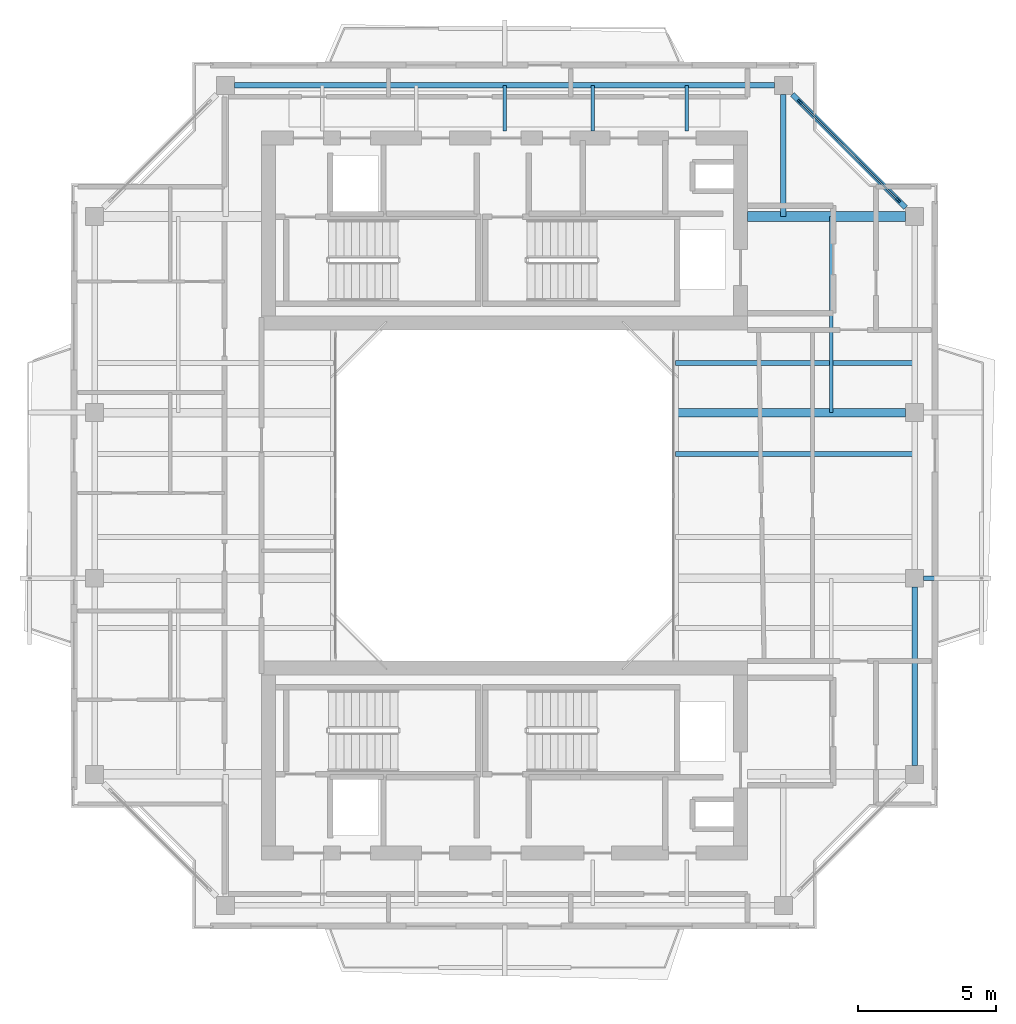
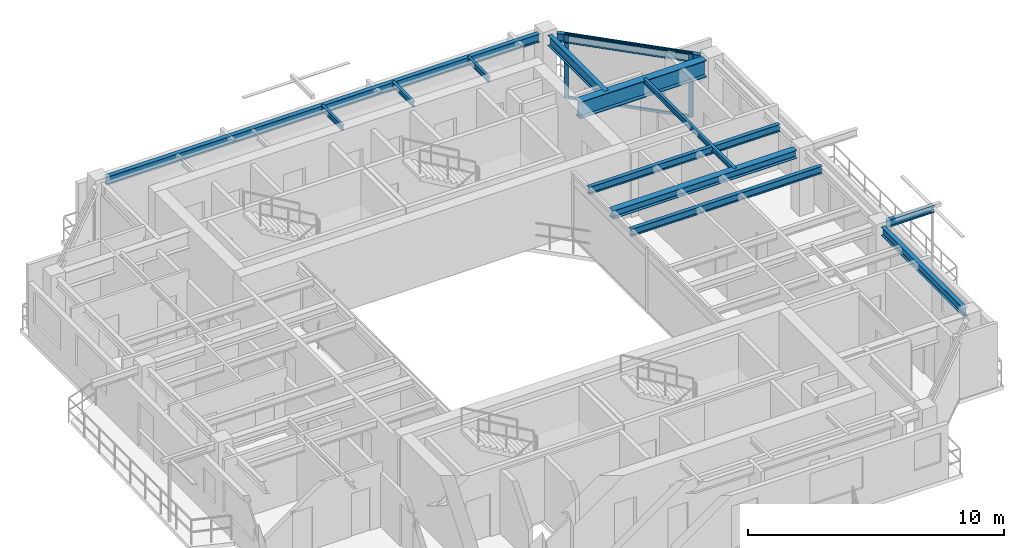
# One storey, part 6 of 15: 13 beams, 4 members, 1 element without a shape of its own.
"""IFC4 building model written with IfcOpenShell, lengths in metres."""

from ifc_helpers import new_model, si_unit, direction, frame, origin, origin_2d, place, context, subcontext, project, spatial, rectangle, i_section, extrude, source, transform, mapped, material, layer, layer_set, material_profile, profile_set, type_object, element, aggregate, save


model = new_model("IFC4")

# Units and contexts
model_context = context("Model", 3, precision=1e-05, world=origin(), true_north=direction((0.0, 1.0)))
body_context = subcontext(model_context, "Body", "Model", "MODEL_VIEW")
ifc_project = project(units=[si_unit("LENGTHUNIT", "METRE"), si_unit("AREAUNIT", "SQUARE_METRE"), si_unit("VOLUMEUNIT", "CUBIC_METRE"), si_unit("PLANEANGLEUNIT", "RADIAN"), si_unit("MASSUNIT", "GRAM", prefix="KILO"), si_unit("THERMODYNAMICTEMPERATUREUNIT", "KELVIN"), si_unit("POWERUNIT", "WATT")], contexts=[model_context])

# Site, building, storey
site_placement = place(None, origin())
site = spatial("IfcSite", under=ifc_project, at=site_placement, CompositionType="ELEMENT")
building_placement = place(site_placement, origin())
building = spatial("IfcBuilding", under=site, at=building_placement, Name="Qiaomeng Ring Towers", CompositionType="ELEMENT")
storey_placement = place(building_placement, frame((0.0, 0.0, 256.75)))
storey = spatial("IfcBuildingStorey", under=building, at=storey_placement, Name="L75", CompositionType="ELEMENT", Elevation=256.75)

# Beams
ifc_material_1 = material(Name="Steel Q355B", Category="steel")
ifc_material_profile_1 = material_profile(ifc_material_1, i_section(OverallWidth=0.198974609375, OverallDepth=0.39599609375, WebThickness=0.007080078125, FlangeThickness=0.010986328125, FilletRadius=0.01611328125, at=origin_2d()), Name="HN 396x199x7x11")
ifc_profile_set_1 = profile_set([ifc_material_profile_1], Name="Steel Q355B")
beam_type_1 = type_object("IfcBeamType", Name="STR-BM-HN396", PredefinedType="SPANDREL", material=ifc_profile_set_1)
shared_shape_1 = source(origin(), body_context, "Body", "SweptSolid", [
    extrude(i_section(OverallWidth=0.198974609375, OverallDepth=0.39599609375, WebThickness=0.007080078125, FlangeThickness=0.010986328125, FilletRadius=0.01611328125, at=origin_2d()), origin(), (0.0, 0.0, 1.0), 19.5517578125),
])
beam_1_placement = place(storey_placement, frame((28.77587890625, 37.85009765625, 2.8720703125), z_axis=(-1.0, 0.0, 0.0), x_axis=(0.0, -1.0, 0.0)))
element("IfcBeam", 1, at=beam_1_placement, inside=storey, type_object=beam_type_1, Name="L75 beam STR-SP-L75-T1-N2-N1", PredefinedType="SPANDREL", context=body_context, shape_type="MappedRepresentation", body=[
    mapped(shared_shape_1, transform((0.0, 0.0, 0.0), x_axis=(1.0, 0.0, 0.0), y_axis=(0.0, 1.0, 0.0), z_axis=(0.0, 0.0, 1.0), scale=1.0)),
])
shared_shape_2 = source(origin(), body_context, "Body", "SweptSolid", [
    extrude(i_section(OverallWidth=0.198974609375, OverallDepth=0.39599609375, WebThickness=0.007080078125, FlangeThickness=0.010986328125, FilletRadius=0.01611328125, at=origin_2d()), origin(), (0.0, 0.0, 1.0), 5.800048828125),
])
beam_2_placement = place(storey_placement, frame((33.525634765625, 33.42431640625, 2.8720703125), z_axis=(-0.707106781187, 0.707106781187, 0.0), x_axis=(-0.707106781187, -0.707106781187, 0.0)))
element("IfcBeam", 2, at=beam_2_placement, inside=storey, type_object=beam_type_1, Name="L75 beam STR-SP-L75-T1-E4-N2", PredefinedType="SPANDREL", context=body_context, shape_type="MappedRepresentation", body=[
    mapped(shared_shape_2, transform((0.0, 0.0, 0.0), x_axis=(1.0, 0.0, 0.0), y_axis=(0.0, 1.0, 0.0), z_axis=(0.0, 0.0, 1.0), scale=1.0)),
])
shared_shape_3 = source(origin(), body_context, "Body", "SweptSolid", [
    extrude(i_section(OverallWidth=0.198974609375, OverallDepth=0.39599609375, WebThickness=0.007080078125, FlangeThickness=0.010986328125, FilletRadius=0.01611328125, at=origin_2d()), origin(), (0.0, 0.0, 1.0), 6.451904296875),
])
beam_3_placement = place(storey_placement, frame((33.85009765625, 13.22412109375, 2.8720703125), z_axis=(0.0, 1.0, 0.0), x_axis=(-1.0, 0.0, 0.0)))
element("IfcBeam", 3, at=beam_3_placement, inside=storey, type_object=beam_type_1, Name="L75 beam STR-SP-L75-T1-E1-E2", PredefinedType="SPANDREL", context=body_context, shape_type="MappedRepresentation", body=[
    mapped(shared_shape_3, transform((0.0, 0.0, 0.0), x_axis=(1.0, 0.0, 0.0), y_axis=(0.0, 1.0, 0.0), z_axis=(0.0, 0.0, 1.0), scale=1.0)),
])
ifc_material_2 = material(Name="Steel Q390GJC", Category="steel")
ifc_material_profile_2 = material_profile(ifc_material_2, i_section(OverallWidth=0.35009765625, OverallDepth=0.800048828125, WebThickness=0.01611328125, FlangeThickness=0.028076171875, at=origin_2d()), Name="WH 800x350x16x28")
ifc_profile_set_2 = profile_set([ifc_material_profile_2], Name="Steel Q390GJC")
beam_type_2 = type_object("IfcBeamType", Name="STR-BM-WH800", PredefinedType="BEAM", material=ifc_profile_set_2)
shared_shape_4 = source(origin(), body_context, "Body", "SweptSolid", [
    extrude(i_section(OverallWidth=0.35009765625, OverallDepth=0.800048828125, WebThickness=0.01611328125, FlangeThickness=0.028076171875, at=origin_2d()), origin(), (0.0, 0.0, 1.0), 5.725830078125),
])
beam_4_placement = place(storey_placement, frame((27.800048828125, 33.10009765625, 2.669921875), z_axis=(1.0, 0.0, 0.0), x_axis=(0.0, 1.0, 0.0)))
element("IfcBeam", 4, at=beam_4_placement, inside=storey, type_object=beam_type_2, Name="L75 beam STR-BM-L75-T1-RAD-E4", PredefinedType="BEAM", context=body_context, shape_type="MappedRepresentation", body=[
    mapped(shared_shape_4, transform((0.0, 0.0, 0.0), x_axis=(1.0, 0.0, 0.0), y_axis=(0.0, 1.0, 0.0), z_axis=(0.0, 0.0, 1.0), scale=1.0)),
])
ifc_material_profile_3 = material_profile(ifc_material_1, i_section(OverallWidth=0.198974609375, OverallDepth=0.49609375, WebThickness=0.009033203125, FlangeThickness=0.013916015625, FilletRadius=0.01806640625, at=origin_2d()), Name="HN 496x199x9x14")
ifc_profile_set_3 = profile_set([ifc_material_profile_3], Name="Steel Q355B")
beam_type_3 = type_object("IfcBeamType", Name="STR-BM-HN496", PredefinedType="BEAM", material=ifc_profile_set_3)
shared_shape_5 = source(origin(), body_context, "Body", "SweptSolid", [
    extrude(i_section(OverallWidth=0.198974609375, OverallDepth=0.49609375, WebThickness=0.009033203125, FlangeThickness=0.013916015625, FilletRadius=0.01806640625, at=origin_2d()), origin(), (0.0, 0.0, 1.0), 4.42578125),
])
beam_5_placement = place(storey_placement, frame((29.10009765625, 37.52587890625, 2.822021484375), z_axis=(0.0, -1.0, 0.0), x_axis=(1.0, 0.0, 0.0)))
element("IfcBeam", 5, at=beam_5_placement, inside=storey, type_object=beam_type_3, Name="L75 beam STR-BM-L75-T1-RAD-N2", PredefinedType="BEAM", context=body_context, shape_type="MappedRepresentation", body=[
    mapped(shared_shape_5, transform((0.0, 0.0, 0.0), x_axis=(1.0, 0.0, 0.0), y_axis=(0.0, 1.0, 0.0), z_axis=(0.0, 0.0, 1.0), scale=1.0)),
])
ifc_material_profile_4 = material_profile(ifc_material_1, i_section(OverallWidth=0.300048828125, OverallDepth=0.389892578125, WebThickness=0.010009765625, FlangeThickness=0.01611328125, FilletRadius=0.02197265625, at=origin_2d()), Name="HM 390x300x10x16")
ifc_profile_set_4 = profile_set([ifc_material_profile_4], Name="Steel Q355B")
beam_type_4 = type_object("IfcBeamType", Name="STR-BM-HM390", PredefinedType="BEAM", material=ifc_profile_set_4)
shared_shape_6 = source(origin(), body_context, "Body", "SweptSolid", [
    extrude(i_section(OverallWidth=0.300048828125, OverallDepth=0.389892578125, WebThickness=0.010009765625, FlangeThickness=0.01611328125, FilletRadius=0.02197265625, at=origin_2d()), origin(), (0.0, 0.0, 1.0), 8.325927734375),
])
beam_6_placement = place(storey_placement, frame((25.199951171875, 26.0, 2.875), z_axis=(1.0, 0.0, 0.0), x_axis=(0.0, 1.0, 0.0)))
element("IfcBeam", 6, at=beam_6_placement, inside=storey, type_object=beam_type_4, Name="L75 beam STR-BM-L75-T1-RAD-E3", PredefinedType="BEAM", context=body_context, shape_type="MappedRepresentation", body=[
    mapped(shared_shape_6, transform((0.0, 0.0, 0.0), x_axis=(1.0, 0.0, 0.0), y_axis=(0.0, 1.0, 0.0), z_axis=(0.0, 0.0, 1.0), scale=1.0)),
])
ifc_material_profile_5 = material_profile(ifc_material_1, i_section(OverallWidth=0.125, OverallDepth=0.25, WebThickness=0.006103515625, FlangeThickness=0.009033203125, FilletRadius=0.011962890625, at=origin_2d()), Name="HN 250x125x6x9")
ifc_profile_set_5 = profile_set([ifc_material_profile_5], Name="Steel Q355B")
beam_type_5 = type_object("IfcBeamType", Name="STR-BM-HN250", PredefinedType="JOIST", material=ifc_profile_set_5)
shared_shape_7 = source(origin(), body_context, "Body", "SweptSolid", [
    extrude(i_section(OverallWidth=0.125, OverallDepth=0.25, WebThickness=0.006103515625, FlangeThickness=0.009033203125, FilletRadius=0.011962890625, at=origin_2d()), origin(), (0.0, 0.0, 1.0), 1.650146484375),
])
for number, where, z_axis, x_axis, name in (
    (7, (19.0, 36.199951171875, 2.945068359375), (0.0, 1.0, 0.0), (-1.0, 0.0, 0.0), "L75 beam STR-JST-L75-T1N-3"),
    (8, (22.199951171875, 36.199951171875, 2.945068359375), (0.0, 1.0, 0.0), (-1.0, 0.0, 0.0), "L75 beam STR-JST-L75-T1N-4"),
    (9, (25.60009765625, 36.199951171875, 2.945068359375), (0.0, 1.0, 0.0), (-1.0, 0.0, 0.0), "L75 beam STR-JST-L75-T1N-5"),
):
    element("IfcBeam", number, at=place(storey_placement, frame(where, z_axis=z_axis, x_axis=x_axis)), inside=storey, type_object=beam_type_5, Name=name, PredefinedType="JOIST", context=body_context, shape_type="MappedRepresentation", body=[
        mapped(shared_shape_7, transform((0.0, 0.0, 0.0), x_axis=(1.0, 0.0, 0.0), y_axis=(0.0, 1.0, 0.0), z_axis=(0.0, 0.0, 1.0), scale=1.0)),
    ])
ifc_material_profile_6 = material_profile(ifc_material_1, i_section(OverallWidth=0.175048828125, OverallDepth=0.35009765625, WebThickness=0.007080078125, FlangeThickness=0.010986328125, FilletRadius=0.013916015625, at=origin_2d()), Name="HN 350x175x7x11")
ifc_profile_set_6 = profile_set([ifc_material_profile_6], Name="Steel Q355B")
beam_type_6 = type_object("IfcBeamType", Name="STR-BM-HN350", PredefinedType="JOIST", material=ifc_profile_set_6)
shared_shape_8 = source(origin(), body_context, "Body", "SweptSolid", [
    extrude(i_section(OverallWidth=0.175048828125, OverallDepth=0.35009765625, WebThickness=0.007080078125, FlangeThickness=0.010986328125, FilletRadius=0.013916015625, at=origin_2d()), origin(), (0.0, 0.0, 1.0), 8.650146484375),
])
for number, where, z_axis, x_axis, name in (
    (10, (25.199951171875, 24.5, 2.89501953125), (1.0, 0.0, 0.0), (0.0, 1.0, 0.0), "L75 beam STR-JST-L75-T1E-3"),
    (11, (25.199951171875, 27.800048828125, 2.89501953125), (1.0, 0.0, 0.0), (0.0, 1.0, 0.0), "L75 beam STR-JST-L75-T1E-4"),
):
    element("IfcBeam", number, at=place(storey_placement, frame(where, z_axis=z_axis, x_axis=x_axis)), inside=storey, type_object=beam_type_6, Name=name, PredefinedType="JOIST", context=body_context, shape_type="MappedRepresentation", body=[
        mapped(shared_shape_8, transform((0.0, 0.0, 0.0), x_axis=(1.0, 0.0, 0.0), y_axis=(0.0, 1.0, 0.0), z_axis=(0.0, 0.0, 1.0), scale=1.0)),
    ])
shared_shape_9 = source(origin(), body_context, "Body", "SweptSolid", [
    extrude(i_section(OverallWidth=0.125, OverallDepth=0.25, WebThickness=0.006103515625, FlangeThickness=0.009033203125, FilletRadius=0.011962890625, at=origin_2d()), origin(), (0.0, 0.0, 1.0), 7.10009765625),
])
beam_7_placement = place(storey_placement, frame((30.824951171875, 26.0, 2.945068359375), z_axis=(0.0, 1.0, 0.0), x_axis=(-1.0, 0.0, 0.0)))
element("IfcBeam", 12, at=beam_7_placement, inside=storey, type_object=beam_type_5, Name="L75 beam STR-JST-L75-T1C-EN", PredefinedType="JOIST", context=body_context, shape_type="MappedRepresentation", body=[
    mapped(shared_shape_9, transform((0.0, 0.0, 0.0), x_axis=(1.0, 0.0, 0.0), y_axis=(0.0, 1.0, 0.0), z_axis=(0.0, 0.0, 1.0), scale=1.0)),
])
shared_shape_10 = source(origin(), body_context, "Body", "SweptSolid", [
    extrude(i_section(OverallWidth=0.175048828125, OverallDepth=0.35009765625, WebThickness=0.007080078125, FlangeThickness=0.010986328125, FilletRadius=0.013916015625, at=origin_2d()), origin(), (0.0, 0.0, 1.0), 2.14599609375),
])
beam_8_placement = place(storey_placement, frame((34.174072265625, 20.0, 2.89501953125), z_axis=(1.0, 0.0, 0.0), x_axis=(0.0, 1.0, 0.0)))
element("IfcBeam", 13, at=beam_8_placement, inside=storey, type_object=beam_type_6, Name="L75 beam STR-BALBM-L75-E2", PredefinedType="JOIST", context=body_context, shape_type="MappedRepresentation", body=[
    mapped(shared_shape_10, transform((0.0, 0.0, 0.0), x_axis=(1.0, 0.0, 0.0), y_axis=(0.0, 1.0, 0.0), z_axis=(0.0, 0.0, 1.0), scale=1.0)),
])

# Curtain wall, members
ifc_material_3 = material(Name="Fluorocarbon dark-grey aluminium", Category="aluminium")
ifc_layer = layer(ifc_material_3, 0.14990234375, Name="Fluorocarbon dark-grey aluminium")
ifc_layer_set = layer_set([ifc_layer], Name="Fluorocarbon dark-grey aluminium")
curtain_wall_type = type_object("IfcCurtainWallType", Name="ARC-CW-3", PredefinedType="NOTDEFINED", material=ifc_layer_set)
curtain_wall_placement = place(storey_placement, origin())
curtain_wall = element("IfcCurtainWall", 14, at=curtain_wall_placement, inside=storey, type_object=curtain_wall_type, Name="L75 Curtain Wall CW3", PredefinedType="NOTDEFINED")
ifc_material_profile_7 = material_profile(ifc_material_3, rectangle(XDim=0.070068359375, YDim=0.179931640625, at=origin_2d()), Name="ALU MULL 70x180")
ifc_profile_set_7 = profile_set([ifc_material_profile_7], Name="Fluorocarbon dark-grey aluminium")
member_type_1 = type_object("IfcMemberType", Name="ARC-CWM-160", PredefinedType="MULLION", material=ifc_profile_set_7)
shared_shape_11 = source(origin(), body_context, "Body", "SweptSolid", [
    extrude(rectangle(XDim=0.070068359375, YDim=0.179931640625, at=origin_2d()), origin(), (0.0, 0.0, 1.0), 3.070068359375),
])
member_1_placement = place(storey_placement, frame((33.26025390625, 33.689697265625, 0.0), z_axis=(0.0, 0.0, 1.0), x_axis=(-0.707106781187, -0.707106781187, 0.0)))
member_1 = element("IfcMember", 15, at=member_1_placement, type_object=member_type_1, Name="CW3 mullion 1", PredefinedType="MULLION", context=body_context, shape_type="MappedRepresentation", body=[
    mapped(shared_shape_11, transform((0.0, 0.0, 0.0), x_axis=(1.0, 0.0, 0.0), y_axis=(0.0, 1.0, 0.0), z_axis=(0.0, 0.0, 1.0), scale=1.0)),
])
member_2_placement = place(storey_placement, frame((29.689697265625, 37.26025390625, 0.0), z_axis=(0.0, 0.0, 1.0), x_axis=(-0.707106781187, -0.707106781187, 0.0)))
member_2 = element("IfcMember", 16, at=member_2_placement, type_object=member_type_1, Name="CW3 mullion 2", PredefinedType="MULLION", context=body_context, shape_type="MappedRepresentation", body=[
    mapped(shared_shape_11, transform((0.0, 0.0, 0.0), x_axis=(1.0, 0.0, 0.0), y_axis=(0.0, 1.0, 0.0), z_axis=(0.0, 0.0, 1.0), scale=1.0)),
])
ifc_material_profile_8 = material_profile(ifc_material_3, rectangle(XDim=0.06494140625, YDim=0.1298828125, at=origin_2d()), Name="ALU TRAN 65x130")
ifc_profile_set_8 = profile_set([ifc_material_profile_8], Name="Fluorocarbon dark-grey aluminium")
member_type_2 = type_object("IfcMemberType", Name="ARC-CWT-120", PredefinedType="USERDEFINED", material=ifc_profile_set_8)
shared_shape_12 = source(origin(), body_context, "Body", "SweptSolid", [
    extrude(rectangle(XDim=0.06494140625, YDim=0.1298828125, at=origin_2d()), origin(), (0.0, 0.0, 1.0), 4.9794921875),
])
member_3_placement = place(storey_placement, frame((33.235595703125, 33.714599609375, 0.032470703125), z_axis=(-0.707106781187, 0.707106781187, 0.0), x_axis=(-0.707106781187, -0.707106781187, 0.0)))
member_3 = element("IfcMember", 17, at=member_3_placement, type_object=member_type_2, Name="CW3 transom 1.1", ObjectType="TRANSOM", PredefinedType="USERDEFINED", context=body_context, shape_type="MappedRepresentation", body=[
    mapped(shared_shape_12, transform((0.0, 0.0, 0.0), x_axis=(1.0, 0.0, 0.0), y_axis=(0.0, 1.0, 0.0), z_axis=(0.0, 0.0, 1.0), scale=1.0)),
])
member_4_placement = place(storey_placement, frame((33.235595703125, 33.714599609375, 3.03759765625), z_axis=(-0.707106781187, 0.707106781187, 0.0), x_axis=(-0.707106781187, -0.707106781187, 0.0)))
member_4 = element("IfcMember", 18, at=member_4_placement, type_object=member_type_2, Name="CW3 transom 1.2", ObjectType="TRANSOM", PredefinedType="USERDEFINED", context=body_context, shape_type="MappedRepresentation", body=[
    mapped(shared_shape_12, transform((0.0, 0.0, 0.0), x_axis=(1.0, 0.0, 0.0), y_axis=(0.0, 1.0, 0.0), z_axis=(0.0, 0.0, 1.0), scale=1.0)),
])
aggregate(curtain_wall, [member_1, member_2, member_3, member_4])

save(model, "model.ifc")
